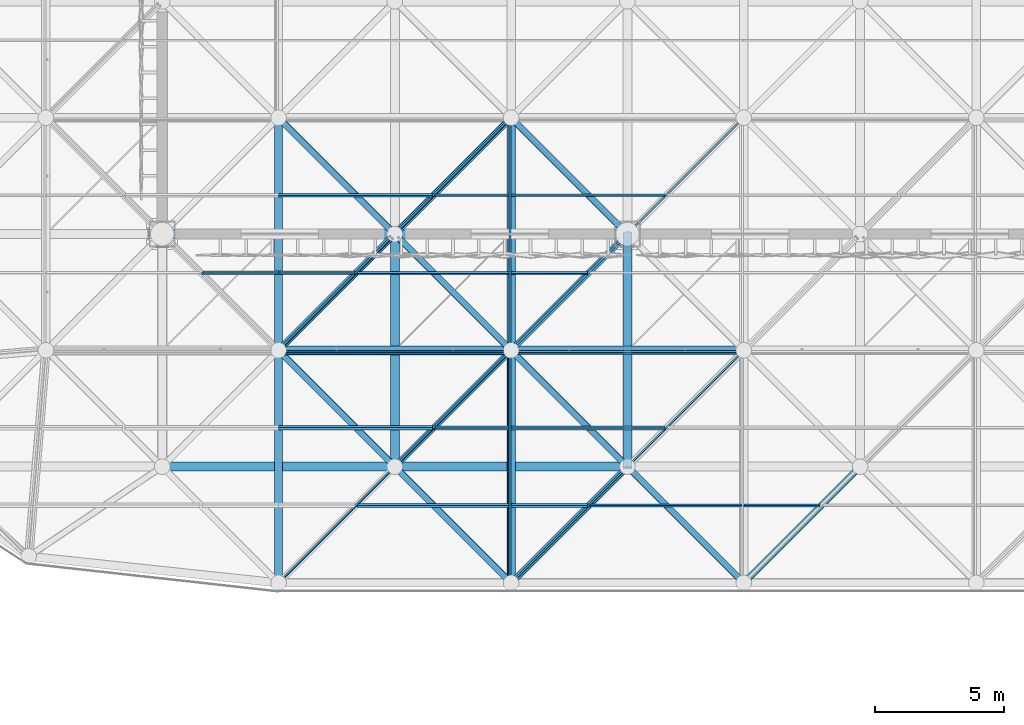
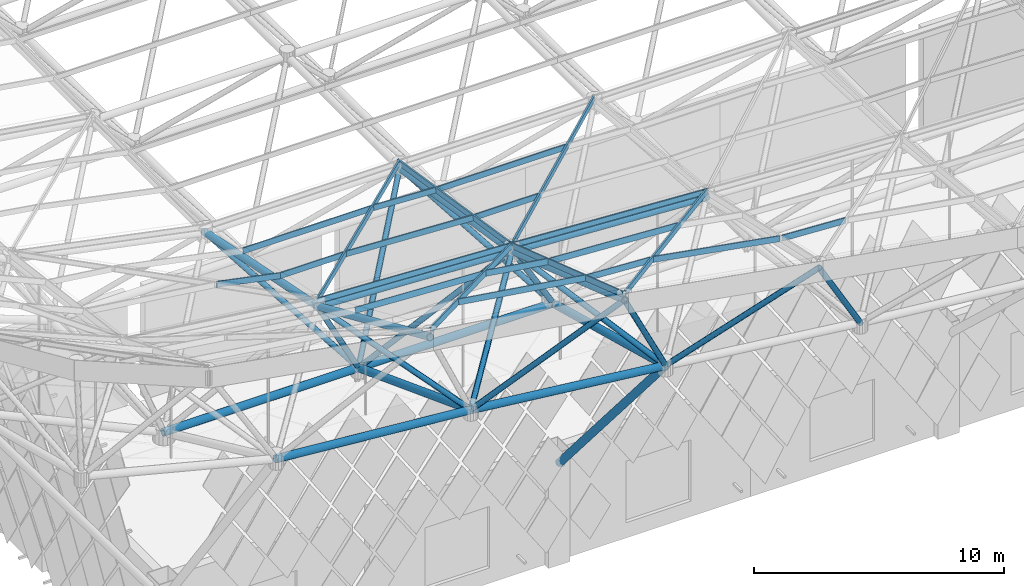
# One storey, part 52 of 437: 48 members.
"""IFC4 building model written with IfcOpenShell, lengths in metres."""

from ifc_helpers import new_model, si_unit, direction, frame, origin, origin_2d, place, context, subcontext, project, spatial, polyline, hollow_circle, outline, extrude, material, material_profile, profile_set, type_object, element, save


model = new_model("IFC4")

# Units and contexts
model_context = context("Model", 3, precision=1e-05, world=origin(), true_north=direction((0.0, 1.0)))
body_context = subcontext(model_context, "Body", "Model", "MODEL_VIEW")
ifc_project = project(units=[si_unit("LENGTHUNIT", "METRE"), si_unit("AREAUNIT", "SQUARE_METRE"), si_unit("VOLUMEUNIT", "CUBIC_METRE"), si_unit("PLANEANGLEUNIT", "RADIAN"), si_unit("MASSUNIT", "GRAM", prefix="KILO")], contexts=[model_context])

# Site, building, storey
site_placement = place(None, origin())
site = spatial("IfcSite", under=ifc_project, at=site_placement, CompositionType="ELEMENT")
building_placement = place(site_placement, origin())
building = spatial("IfcBuilding", under=site, at=building_placement, Name="Opaline Strait Convention Centre", CompositionType="ELEMENT")
storey_placement = place(building_placement, frame((0.0, 0.0, 11.5)))
storey = spatial("IfcBuildingStorey", under=building, at=storey_placement, Name="L02", CompositionType="ELEMENT", Elevation=11.5)

# Members
ifc_material = material(Name="Steel Q355B", Category="steel")
ifc_material_profile_1 = material_profile(ifc_material, hollow_circle(Radius=0.175537109375, WallThickness=0.01611328125, at=origin_2d()), Name="CHS 351x16")
ifc_profile_set_1 = profile_set([ifc_material_profile_1], Name="Steel Q355B")
member_type_1 = type_object("IfcMemberType", Name="Raking prop CHS 351x16", PredefinedType="BRACE", material=ifc_profile_set_1)
member_1_placement = place(storey_placement, frame((117.0, 53.48388671875, 5.0185546875), z_axis=(0.0, -0.651001904669, 0.759076096394), x_axis=(1.0, 0.0, 0.0)))
element("IfcMember", 1, at=member_1_placement, inside=storey, type_object=member_type_1, Name="Raking prop 117/54 S", PredefinedType="BRACE", context=body_context, shape_type="SweptSolid", body=[
    extrude(hollow_circle(Radius=0.175537109375, WallThickness=0.01611328125, at=origin_2d()), origin(), (0.0, 0.0, 1.0), 13.08203125),
])
ifc_material_profile_2 = material_profile(ifc_material, outline(polyline([(-0.03759765625, -0.125), (0.03759765625, -0.125), (0.03759765625, -0.10498046875), (0.034912109375, -0.10498046875), (0.034912109375, -0.12255859375), (-0.034912109375, -0.12255859375), (-0.034912109375, 0.12255859375), (0.034912109375, 0.12255859375), (0.034912109375, 0.10498046875), (0.03759765625, 0.10498046875), (0.03759765625, 0.125), (-0.03759765625, 0.125), (-0.03759765625, -0.125)])), Name="C 250x75x20x2.5")
ifc_profile_set_2 = profile_set([ifc_material_profile_2], Name="Steel Q355B")
member_type_2 = type_object("IfcMemberType", Name="Roof purlin C 250x75x20x2.5", PredefinedType="PURLIN", material=ifc_profile_set_2)
member_2_placement = place(storey_placement, frame((103.5, 40.5, 24.05322265625), z_axis=(0.668377219013, 0.668377219013, -0.326410456648), x_axis=(-0.730508511639, 0.672490667051, -0.118800745592)))
element("IfcMember", 2, at=member_2_placement, inside=storey, type_object=member_type_2, Name="EXB-RF-F-2-0", PredefinedType="PURLIN", context=body_context, shape_type="SweptSolid", body=[
    extrude(outline(polyline([(-0.03759765625, -0.125), (0.03759765625, -0.125), (0.03759765625, -0.10498046875), (0.034912109375, -0.10498046875), (0.034912109375, -0.12255859375), (-0.034912109375, -0.12255859375), (-0.034912109375, 0.12255859375), (0.034912109375, 0.12255859375), (0.034912109375, 0.10498046875), (0.03759765625, 0.10498046875), (0.03759765625, 0.125), (-0.03759765625, 0.125), (-0.03759765625, -0.125)])), origin(), (0.0, 0.0, 1.0), 13.46533203125),
])
member_3_placement = place(storey_placement, frame((112.443115234375, 49.550048828125, 19.653564453125), z_axis=(0.0, -0.94707556838, 0.321010697294), x_axis=(0.990136950451, -0.044974525914, -0.132688022709)))
element("IfcMember", 3, at=member_3_placement, inside=storey, type_object=member_type_2, Name="EXB-RF-E-2-0a", PredefinedType="PURLIN", context=body_context, shape_type="SweptSolid", body=[
    extrude(outline(polyline([(-0.03759765625, -0.125), (0.03759765625, -0.125), (0.03759765625, -0.10498046875), (0.034912109375, -0.10498046875), (0.034912109375, -0.12255859375), (-0.034912109375, -0.12255859375), (-0.034912109375, 0.12255859375), (0.034912109375, 0.12255859375), (0.034912109375, 0.10498046875), (0.03759765625, 0.10498046875), (0.03759765625, 0.125), (-0.03759765625, 0.125), (-0.03759765625, -0.125)])), origin(), (0.0, 0.0, 1.0), 9.608642578125),
])
member_4_placement = place(storey_placement, frame((106.550048828125, 43.5, 22.58447265625), z_axis=(0.989024150242, 0.0, -0.147753951686), x_axis=(-0.047431188677, 0.94707421578, -0.31749127885)))
element("IfcMember", 4, at=member_4_placement, inside=storey, type_object=member_type_2, Name="EXB-RF-P-2-0-0a", PredefinedType="PURLIN", context=body_context, shape_type="SweptSolid", body=[
    extrude(outline(polyline([(-0.03759765625, -0.125), (0.03759765625, -0.125), (0.03759765625, -0.10498046875), (0.034912109375, -0.10498046875), (0.034912109375, -0.12255859375), (-0.034912109375, -0.12255859375), (-0.034912109375, 0.12255859375), (0.034912109375, 0.12255859375), (0.034912109375, 0.10498046875), (0.03759765625, 0.10498046875), (0.03759765625, 0.125), (-0.03759765625, 0.125), (-0.03759765625, -0.125)])), origin(), (0.0, 0.0, 1.0), 5.923583984375),
])
member_5_placement = place(storey_placement, frame((109.550048828125, 46.5, 21.119384765625), z_axis=(0.989027242431, 0.0, -0.147733251944), x_axis=(-0.047424543755, 0.94707421578, -0.317492271488)))
element("IfcMember", 5, at=member_5_placement, inside=storey, type_object=member_type_2, Name="EXB-RF-P-2-0-1a", PredefinedType="PURLIN", context=body_context, shape_type="SweptSolid", body=[
    extrude(outline(polyline([(-0.03759765625, -0.125), (0.03759765625, -0.125), (0.03759765625, -0.10498046875), (0.034912109375, -0.10498046875), (0.034912109375, -0.12255859375), (-0.034912109375, -0.12255859375), (-0.034912109375, 0.12255859375), (0.034912109375, 0.12255859375), (0.034912109375, 0.10498046875), (0.03759765625, 0.10498046875), (0.03759765625, 0.125), (-0.03759765625, 0.125), (-0.03759765625, -0.125)])), origin(), (0.0, 0.0, 1.0), 2.890380859375),
])
member_6_placement = place(storey_placement, frame((112.550048828125, 49.41162109375, 19.698486328125), z_axis=(-0.99882696864, 0.0, 0.048421965239), x_axis=(0.019477416429, -0.915532762336, 0.401771566115)))
element("IfcMember", 6, at=member_6_placement, inside=storey, type_object=member_type_2, Name="EXB-RF-E-2-0b", PredefinedType="PURLIN", context=body_context, shape_type="SweptSolid", body=[
    extrude(outline(polyline([(-0.03759765625, -0.125), (0.03759765625, -0.125), (0.03759765625, -0.10498046875), (0.034912109375, -0.10498046875), (0.034912109375, -0.12255859375), (-0.034912109375, -0.12255859375), (-0.034912109375, 0.12255859375), (0.034912109375, 0.12255859375), (0.034912109375, 0.10498046875), (0.03759765625, 0.10498046875), (0.03759765625, 0.125), (-0.03759765625, 0.125), (-0.03759765625, -0.125)])), origin(), (0.0, 0.0, 1.0), 9.11083984375),
])
member_7_placement = place(storey_placement, frame((103.5, 46.5, 21.41796875), z_axis=(0.998827915203, 0.0, -0.048402436004), x_axis=(-0.01948874005, 0.915358568875, -0.402167725456)))
element("IfcMember", 7, at=member_7_placement, inside=storey, type_object=member_type_2, Name="EXB-RF-P-2-0-1b", PredefinedType="PURLIN", context=body_context, shape_type="SweptSolid", body=[
    extrude(outline(polyline([(-0.03759765625, -0.125), (0.03759765625, -0.125), (0.03759765625, -0.10498046875), (0.034912109375, -0.10498046875), (0.034912109375, -0.12255859375), (-0.034912109375, -0.12255859375), (-0.034912109375, 0.12255859375), (0.034912109375, 0.12255859375), (0.034912109375, 0.10498046875), (0.03759765625, 0.10498046875), (0.03759765625, 0.125), (-0.03759765625, 0.125), (-0.03759765625, -0.125)])), origin(), (0.0, 0.0, 1.0), 5.95703125),
])
member_8_placement = place(storey_placement, frame((112.5, 40.5, 22.706787109375), z_axis=(0.680936695779, 0.680936695779, -0.269537442079), x_axis=(-0.712454430671, 0.701135507774, -0.028595173634)))
element("IfcMember", 8, at=member_8_placement, inside=storey, type_object=member_type_2, Name="EXB-RF-F-3-0", PredefinedType="PURLIN", context=body_context, shape_type="SweptSolid", body=[
    extrude(outline(polyline([(-0.03759765625, -0.125), (0.03759765625, -0.125), (0.03759765625, -0.10498046875), (0.034912109375, -0.10498046875), (0.034912109375, -0.12255859375), (-0.034912109375, -0.12255859375), (-0.034912109375, 0.12255859375), (0.034912109375, 0.12255859375), (0.034912109375, 0.10498046875), (0.03759765625, 0.10498046875), (0.03759765625, 0.125), (-0.03759765625, 0.125), (-0.03759765625, -0.125)])), origin(), (0.0, 0.0, 1.0), 13.217041015625),
])
member_9_placement = place(storey_placement, frame((115.550048828125, 43.5, 21.515625), z_axis=(0.984841792486, 0.0, -0.17345501945), x_axis=(-0.037223561752, 0.976701876974, -0.21134769922)))
element("IfcMember", 9, at=member_9_placement, inside=storey, type_object=member_type_2, Name="EXB-RF-P-3-0-0a", PredefinedType="PURLIN", context=body_context, shape_type="SweptSolid", body=[
    extrude(outline(polyline([(-0.03759765625, -0.125), (0.03759765625, -0.125), (0.03759765625, -0.10498046875), (0.034912109375, -0.10498046875), (0.034912109375, -0.12255859375), (-0.034912109375, -0.12255859375), (-0.034912109375, 0.12255859375), (0.034912109375, 0.12255859375), (0.034912109375, 0.10498046875), (0.03759765625, 0.10498046875), (0.03759765625, 0.125), (-0.03759765625, 0.125), (-0.03759765625, -0.125)])), origin(), (0.0, 0.0, 1.0), 5.9453125),
])
member_10_placement = place(storey_placement, frame((121.550048828125, 49.421630859375, 19.1728515625), z_axis=(-0.998387986056, 0.0, 0.056757636488), x_axis=(0.018193669941, -0.947231539522, 0.320033437174)))
element("IfcMember", 10, at=member_10_placement, inside=storey, type_object=member_type_2, Name="EXB-RF-E-3-0b", PredefinedType="PURLIN", context=body_context, shape_type="SweptSolid", body=[
    extrude(outline(polyline([(-0.03759765625, -0.125), (0.03759765625, -0.125), (0.03759765625, -0.10498046875), (0.034912109375, -0.10498046875), (0.034912109375, -0.12255859375), (-0.034912109375, -0.12255859375), (-0.034912109375, 0.12255859375), (0.034912109375, 0.12255859375), (0.034912109375, 0.10498046875), (0.03759765625, 0.10498046875), (0.03759765625, 0.125), (-0.03759765625, 0.125), (-0.03759765625, -0.125)])), origin(), (0.0, 0.0, 1.0), 9.11474609375),
])
member_11_placement = place(storey_placement, frame((112.5, 43.5, 21.694580078125), z_axis=(0.998387563836, 0.0, -0.05676506301), x_axis=(-0.018222418982, 0.94707421578, -0.320497072141)))
element("IfcMember", 11, at=member_11_placement, inside=storey, type_object=member_type_2, Name="EXB-RF-P-3-0-0b", PredefinedType="PURLIN", context=body_context, shape_type="SweptSolid", body=[
    extrude(outline(polyline([(-0.03759765625, -0.125), (0.03759765625, -0.125), (0.03759765625, -0.10498046875), (0.034912109375, -0.10498046875), (0.034912109375, -0.12255859375), (-0.034912109375, -0.12255859375), (-0.034912109375, 0.12255859375), (0.034912109375, 0.12255859375), (0.034912109375, 0.10498046875), (0.03759765625, 0.10498046875), (0.03759765625, 0.125), (-0.03759765625, 0.125), (-0.03759765625, -0.125)])), origin(), (0.0, 0.0, 1.0), 2.954833984375),
])
member_12_placement = place(storey_placement, frame((112.5, 46.5, 20.677490234375), z_axis=(0.998389085659, 0.0, -0.056738290741), x_axis=(-0.01821382469, 0.94707421578, -0.320497560669)))
element("IfcMember", 12, at=member_12_placement, inside=storey, type_object=member_type_2, Name="EXB-RF-P-3-0-1b", PredefinedType="PURLIN", context=body_context, shape_type="SweptSolid", body=[
    extrude(outline(polyline([(-0.03759765625, -0.125), (0.03759765625, -0.125), (0.03759765625, -0.10498046875), (0.034912109375, -0.10498046875), (0.034912109375, -0.12255859375), (-0.034912109375, -0.12255859375), (-0.034912109375, 0.12255859375), (0.034912109375, 0.12255859375), (0.034912109375, 0.10498046875), (0.03759765625, 0.10498046875), (0.03759765625, 0.125), (-0.03759765625, 0.125), (-0.03759765625, -0.125)])), origin(), (0.0, 0.0, 1.0), 5.95947265625),
])
member_13_placement = place(storey_placement, frame((121.5, 43.5, 20.466064453125), z_axis=(0.998533955365, 0.0, -0.054128920033), x_axis=(-0.011616101995, 0.976701876974, -0.214286046418)))
element("IfcMember", 13, at=member_13_placement, inside=storey, type_object=member_type_2, Name="EXB-RF-P-4-0-0b", PredefinedType="PURLIN", context=body_context, shape_type="SweptSolid", body=[
    extrude(outline(polyline([(-0.03759765625, -0.125), (0.03759765625, -0.125), (0.03759765625, -0.10498046875), (0.034912109375, -0.10498046875), (0.034912109375, -0.12255859375), (-0.034912109375, -0.12255859375), (-0.034912109375, 0.12255859375), (0.034912109375, 0.12255859375), (0.034912109375, 0.10498046875), (0.03759765625, 0.10498046875), (0.03759765625, 0.125), (-0.03759765625, 0.125), (-0.03759765625, -0.125)])), origin(), (0.0, 0.0, 1.0), 2.954345703125),
])
member_14_placement = place(storey_placement, frame((100.550048828125, 52.5, 20.087890625), z_axis=(0.97978687137, 0.0, -0.200044211841), x_axis=(-0.040024376387, 0.97978004307, -0.196033457593)))
element("IfcMember", 14, at=member_14_placement, inside=storey, type_object=member_type_2, Name="EXB-RF-P-1-1-0a", PredefinedType="PURLIN", context=body_context, shape_type="SweptSolid", body=[
    extrude(outline(polyline([(-0.03759765625, -0.125), (0.03759765625, -0.125), (0.03759765625, -0.10498046875), (0.034912109375, -0.10498046875), (0.034912109375, -0.12255859375), (-0.034912109375, -0.12255859375), (-0.034912109375, 0.12255859375), (0.034912109375, 0.12255859375), (0.034912109375, 0.10498046875), (0.03759765625, 0.10498046875), (0.03759765625, 0.125), (-0.03759765625, 0.125), (-0.03759765625, -0.125)])), origin(), (0.0, 0.0, 1.0), 3.0107421875),
])
member_15_placement = place(storey_placement, frame((103.5, 49.5, 20.09326171875), z_axis=(0.699850097558, 0.699850097558, -0.142897452374), x_axis=(-0.712685495403, 0.697562775149, -0.074064562165)))
element("IfcMember", 15, at=member_15_placement, inside=storey, type_object=member_type_2, Name="EXB-RF-F-2-1", PredefinedType="PURLIN", context=body_context, shape_type="SweptSolid", body=[
    extrude(outline(polyline([(-0.03759765625, -0.125), (0.03759765625, -0.125), (0.03759765625, -0.10498046875), (0.034912109375, -0.10498046875), (0.034912109375, -0.12255859375), (-0.034912109375, -0.12255859375), (-0.034912109375, 0.12255859375), (0.034912109375, 0.12255859375), (0.034912109375, 0.10498046875), (0.03759765625, 0.10498046875), (0.03759765625, 0.125), (-0.03759765625, 0.125), (-0.03759765625, -0.125)])), origin(), (0.0, 0.0, 1.0), 12.85986328125),
])
member_16_placement = place(storey_placement, frame((112.454345703125, 58.550048828125, 18.251953125), z_axis=(0.0, -0.988093016125, 0.153857698814), x_axis=(0.998854157138, -0.007363297001, -0.047287996623)))
element("IfcMember", 16, at=member_16_placement, inside=storey, type_object=member_type_2, Name="EXB-RF-E-2-1a", PredefinedType="PURLIN", context=body_context, shape_type="SweptSolid", body=[
    extrude(outline(polyline([(-0.03759765625, -0.125), (0.03759765625, -0.125), (0.03759765625, -0.10498046875), (0.034912109375, -0.10498046875), (0.034912109375, -0.12255859375), (-0.034912109375, -0.12255859375), (-0.034912109375, 0.12255859375), (0.034912109375, 0.12255859375), (0.034912109375, 0.10498046875), (0.03759765625, 0.10498046875), (0.03759765625, 0.125), (-0.03759765625, 0.125), (-0.03759765625, -0.125)])), origin(), (0.0, 0.0, 1.0), 9.209716796875),
])
member_17_placement = place(storey_placement, frame((106.550048828125, 52.5, 19.48046875), z_axis=(0.998826020223, 0.0, -0.048441524814), x_axis=(-0.007453391796, 0.988092083083, -0.153683057944)))
element("IfcMember", 17, at=member_17_placement, inside=storey, type_object=member_type_2, Name="EXB-RF-P-2-1-0a", PredefinedType="PURLIN", context=body_context, shape_type="SweptSolid", body=[
    extrude(outline(polyline([(-0.03759765625, -0.125), (0.03759765625, -0.125), (0.03759765625, -0.10498046875), (0.034912109375, -0.10498046875), (0.034912109375, -0.12255859375), (-0.034912109375, -0.12255859375), (-0.034912109375, 0.12255859375), (0.034912109375, 0.12255859375), (0.034912109375, 0.10498046875), (0.03759765625, 0.10498046875), (0.03759765625, 0.125), (-0.03759765625, 0.125), (-0.03759765625, -0.125)])), origin(), (0.0, 0.0, 1.0), 5.87646484375),
])
member_18_placement = place(storey_placement, frame((109.550048828125, 55.5, 18.86767578125), z_axis=(0.998826229539, 0.0, -0.048437208681), x_axis=(-0.0074527277, 0.988092083083, -0.153683090151)))
element("IfcMember", 18, at=member_18_placement, inside=storey, type_object=member_type_2, Name="EXB-RF-P-2-1-1a", PredefinedType="PURLIN", context=body_context, shape_type="SweptSolid", body=[
    extrude(outline(polyline([(-0.03759765625, -0.125), (0.03759765625, -0.125), (0.03759765625, -0.10498046875), (0.034912109375, -0.10498046875), (0.034912109375, -0.12255859375), (-0.034912109375, -0.12255859375), (-0.034912109375, 0.12255859375), (0.034912109375, 0.12255859375), (0.034912109375, 0.10498046875), (0.03759765625, 0.10498046875), (0.03759765625, 0.125), (-0.03759765625, 0.125), (-0.03759765625, -0.125)])), origin(), (0.0, 0.0, 1.0), 2.873046875),
])
member_19_placement = place(storey_placement, frame((103.5, 52.5, 19.48291015625), z_axis=(1.0, 0.0, 0.0), x_axis=(0.0, 0.97978004307, -0.200077652928)))
element("IfcMember", 19, at=member_19_placement, inside=storey, type_object=member_type_2, Name="EXB-RF-P-2-1-0b", PredefinedType="PURLIN", context=body_context, shape_type="SweptSolid", body=[
    extrude(outline(polyline([(-0.03759765625, -0.125), (0.03759765625, -0.125), (0.03759765625, -0.10498046875), (0.034912109375, -0.10498046875), (0.034912109375, -0.12255859375), (-0.034912109375, -0.12255859375), (-0.034912109375, 0.12255859375), (0.034912109375, 0.12255859375), (0.034912109375, 0.10498046875), (0.03759765625, 0.10498046875), (0.03759765625, 0.125), (-0.03759765625, 0.125), (-0.03759765625, -0.125)])), origin(), (0.0, 0.0, 1.0), 2.949951171875),
])
member_20_placement = place(storey_placement, frame((103.5, 55.5, 18.870361328125), z_axis=(1.0, 0.0, 0.0), x_axis=(0.0, 0.97978004307, -0.200077652928)))
element("IfcMember", 20, at=member_20_placement, inside=storey, type_object=member_type_2, Name="EXB-RF-P-2-1-1b", PredefinedType="PURLIN", context=body_context, shape_type="SweptSolid", body=[
    extrude(outline(polyline([(-0.03759765625, -0.125), (0.03759765625, -0.125), (0.03759765625, -0.10498046875), (0.034912109375, -0.10498046875), (0.034912109375, -0.12255859375), (-0.034912109375, -0.12255859375), (-0.034912109375, 0.12255859375), (0.034912109375, 0.12255859375), (0.034912109375, 0.10498046875), (0.03759765625, 0.10498046875), (0.03759765625, 0.125), (-0.03759765625, 0.125), (-0.03759765625, -0.125)])), origin(), (0.0, 0.0, 1.0), 5.949951171875),
])
member_21_placement = place(storey_placement, frame((112.5, 49.5, 19.65625), z_axis=(0.702859440181, 0.702859440181, -0.109440461877), x_axis=(-0.709082248744, 0.704515580248, -0.029328513489)))
element("IfcMember", 21, at=member_21_placement, inside=storey, type_object=member_type_2, Name="EXB-RF-F-3-1", PredefinedType="PURLIN", context=body_context, shape_type="SweptSolid", body=[
    extrude(outline(polyline([(-0.03759765625, -0.125), (0.03759765625, -0.125), (0.03759765625, -0.10498046875), (0.034912109375, -0.10498046875), (0.034912109375, -0.12255859375), (-0.034912109375, -0.12255859375), (-0.034912109375, 0.12255859375), (0.034912109375, 0.12255859375), (0.034912109375, 0.10498046875), (0.03759765625, 0.10498046875), (0.03759765625, 0.125), (-0.03759765625, 0.125), (-0.03759765625, -0.125)])), origin(), (0.0, 0.0, 1.0), 12.804931640625),
])
member_22_placement = place(storey_placement, frame((112.5, 52.5, 19.191650390625), z_axis=(1.0, 0.0, 0.0), x_axis=(0.0, 0.988092083083, -0.153863690806)))
element("IfcMember", 22, at=member_22_placement, inside=storey, type_object=member_type_2, Name="EXB-RF-P-3-1-0b", PredefinedType="PURLIN", context=body_context, shape_type="SweptSolid", body=[
    extrude(outline(polyline([(-0.03759765625, -0.125), (0.03759765625, -0.125), (0.03759765625, -0.10498046875), (0.034912109375, -0.10498046875), (0.034912109375, -0.12255859375), (-0.034912109375, -0.12255859375), (-0.034912109375, 0.12255859375), (0.034912109375, 0.12255859375), (0.034912109375, 0.10498046875), (0.03759765625, 0.10498046875), (0.03759765625, 0.125), (-0.03759765625, 0.125), (-0.03759765625, -0.125)])), origin(), (0.0, 0.0, 1.0), 2.949951171875),
])
member_23_placement = place(storey_placement, frame((112.5, 55.5, 18.724609375), z_axis=(1.0, 0.0, 0.0), x_axis=(0.0, 0.988092083083, -0.153863690806)))
element("IfcMember", 23, at=member_23_placement, inside=storey, type_object=member_type_2, Name="EXB-RF-P-3-1-1b", PredefinedType="PURLIN", context=body_context, shape_type="SweptSolid", body=[
    extrude(outline(polyline([(-0.03759765625, -0.125), (0.03759765625, -0.125), (0.03759765625, -0.10498046875), (0.034912109375, -0.10498046875), (0.034912109375, -0.12255859375), (-0.034912109375, -0.12255859375), (-0.034912109375, 0.12255859375), (0.034912109375, 0.12255859375), (0.034912109375, 0.10498046875), (0.03759765625, 0.10498046875), (0.03759765625, 0.125), (-0.03759765625, 0.125), (-0.03759765625, -0.125)])), origin(), (0.0, 0.0, 1.0), 5.949951171875),
])
ifc_material_profile_3 = material_profile(ifc_material, hollow_circle(Radius=0.175537109375, WallThickness=0.01611328125, at=origin_2d()), Name="CHS 351x16")
ifc_profile_set_3 = profile_set([ifc_material_profile_3], Name="Steel Q355B")
member_type_3 = type_object("IfcMemberType", Name="Space frame bottom chord CHS 351x16", PredefinedType="CHORD", material=ifc_profile_set_3)
member_24_placement = place(storey_placement, frame((98.9501953125, 45.0, 16.66064453125), z_axis=(0.996499137169, 0.0, -0.083603047916), x_axis=(0.0, 1.0, 0.0)))
element("IfcMember", 24, at=member_24_placement, inside=storey, type_object=member_type_3, Name="EXB-RF-BX-1-0", PredefinedType="CHORD", context=body_context, shape_type="SweptSolid", body=[
    extrude(hollow_circle(Radius=0.175537109375, WallThickness=0.01611328125, at=origin_2d()), origin(), (0.0, 0.0, 1.0), 9.131591796875),
])
member_25_placement = place(storey_placement, frame((107.9501953125, 45.0, 15.906982421875), z_axis=(0.993995425291, 0.0, -0.109421636348), x_axis=(0.0, 1.0, 0.0)))
element("IfcMember", 25, at=member_25_placement, inside=storey, type_object=member_type_3, Name="EXB-RF-BX-2-0", PredefinedType="CHORD", context=body_context, shape_type="SweptSolid", body=[
    extrude(hollow_circle(Radius=0.175537109375, WallThickness=0.01611328125, at=origin_2d()), origin(), (0.0, 0.0, 1.0), 9.154541015625),
])
for number, where, z_axis, x_axis, name in (
    (26, (98.949951171875, 54.0, 12.5), (1.0, 0.0, 0.0), (0.0, 1.0, 0.0), "EXB-RF-BX-1-1"),
    (27, (107.949951171875, 54.0, 12.5), (1.0, 0.0, 0.0), (0.0, 1.0, 0.0), "EXB-RF-BX-2-1"),
):
    element("IfcMember", number, at=place(storey_placement, frame(where, z_axis=z_axis, x_axis=x_axis)), inside=storey, type_object=member_type_3, Name=name, PredefinedType="CHORD", context=body_context, shape_type="SweptSolid", body=[
        extrude(hollow_circle(Radius=0.175537109375, WallThickness=0.01611328125, at=origin_2d()), origin(), (0.0, 0.0, 1.0), 9.10009765625),
    ])
member_26_placement = place(storey_placement, frame((108.0, 44.953125, 15.919189453125), z_axis=(0.0, 0.935426145713, -0.353522171746), x_axis=(-1.0, 0.0, 0.0)))
element("IfcMember", 28, at=member_26_placement, inside=storey, type_object=member_type_3, Name="EXB-RF-BY-2-0", PredefinedType="CHORD", context=body_context, shape_type="SweptSolid", body=[
    extrude(hollow_circle(Radius=0.175537109375, WallThickness=0.01611328125, at=origin_2d()), origin(), (0.0, 0.0, 1.0), 9.721435546875),
])
member_27_placement = place(storey_placement, frame((117.0, 44.95166015625, 14.923828125), z_axis=(0.0, 0.965943886193, -0.258751635215), x_axis=(-1.0, 0.0, 0.0)))
element("IfcMember", 29, at=member_27_placement, inside=storey, type_object=member_type_3, Name="EXB-RF-BY-3-0", PredefinedType="CHORD", context=body_context, shape_type="SweptSolid", body=[
    extrude(hollow_circle(Radius=0.175537109375, WallThickness=0.01611328125, at=origin_2d()), origin(), (0.0, 0.0, 1.0), 9.41748046875),
])
ifc_material_profile_4 = material_profile(ifc_material, hollow_circle(Radius=0.16259765625, WallThickness=0.02001953125, at=origin_2d()), Name="CHS 325x20")
ifc_profile_set_4 = profile_set([ifc_material_profile_4], Name="Steel Q355B")
member_type_4 = type_object("IfcMemberType", Name="Space frame top chord CHS 325x20", PredefinedType="CHORD", material=ifc_profile_set_4)
member_28_placement = place(storey_placement, frame((103.449951171875, 49.5, 19.811767578125), z_axis=(0.99882696864, 0.0, -0.048421965239), x_axis=(0.0, 1.0, 0.0)))
element("IfcMember", 30, at=member_28_placement, inside=storey, type_object=member_type_4, Name="EXB-RF-TX-2-1", PredefinedType="CHORD", context=body_context, shape_type="SweptSolid", body=[
    extrude(hollow_circle(Radius=0.16259765625, WallThickness=0.02001953125, at=origin_2d()), origin(), (0.0, 0.0, 1.0), 9.11083984375),
])
member_29_placement = place(storey_placement, frame((112.4501953125, 49.5, 19.375732421875), z_axis=(0.998387813469, 0.0, -0.056760672267), x_axis=(0.0, 1.0, 0.0)))
element("IfcMember", 31, at=member_29_placement, inside=storey, type_object=member_type_4, Name="EXB-RF-TX-3-1", PredefinedType="CHORD", context=body_context, shape_type="SweptSolid", body=[
    extrude(hollow_circle(Radius=0.16259765625, WallThickness=0.02001953125, at=origin_2d()), origin(), (0.0, 0.0, 1.0), 9.1142578125),
])
member_30_placement = place(storey_placement, frame((103.5, 40.454345703125, 23.788330078125), z_axis=(0.0, 0.915357797375, -0.402641407192), x_axis=(-1.0, 0.0, 0.0)))
element("IfcMember", 32, at=member_30_placement, inside=storey, type_object=member_type_4, Name="EXB-RF-TY-2-0", PredefinedType="CHORD", context=body_context, shape_type="SweptSolid", body=[
    extrude(hollow_circle(Radius=0.16259765625, WallThickness=0.02001953125, at=origin_2d()), origin(), (0.0, 0.0, 1.0), 9.931884765625),
])
member_31_placement = place(storey_placement, frame((103.5, 49.450927734375, 19.8193359375), z_axis=(0.0, 0.979779873088, -0.200078485327), x_axis=(-1.0, 0.0, 0.0)))
element("IfcMember", 33, at=member_31_placement, inside=storey, type_object=member_type_4, Name="EXB-RF-TY-2-1", PredefinedType="CHORD", context=body_context, shape_type="SweptSolid", body=[
    extrude(hollow_circle(Radius=0.16259765625, WallThickness=0.02001953125, at=origin_2d()), origin(), (0.0, 0.0, 1.0), 9.285888671875),
])
member_32_placement = place(storey_placement, frame((112.5, 40.45263671875, 22.439697265625), z_axis=(0.0, 0.947072036929, -0.321021115921), x_axis=(-1.0, 0.0, 0.0)))
element("IfcMember", 34, at=member_32_placement, inside=storey, type_object=member_type_4, Name="EXB-RF-TY-3-0", PredefinedType="CHORD", context=body_context, shape_type="SweptSolid", body=[
    extrude(hollow_circle(Radius=0.16259765625, WallThickness=0.02001953125, at=origin_2d()), origin(), (0.0, 0.0, 1.0), 9.60302734375),
])
member_33_placement = place(storey_placement, frame((112.5, 49.45068359375, 19.380615234375), z_axis=(0.0, 0.988093281059, -0.15385599737), x_axis=(-1.0, 0.0, 0.0)))
element("IfcMember", 35, at=member_33_placement, inside=storey, type_object=member_type_4, Name="EXB-RF-TY-3-1", PredefinedType="CHORD", context=body_context, shape_type="SweptSolid", body=[
    extrude(hollow_circle(Radius=0.16259765625, WallThickness=0.02001953125, at=origin_2d()), origin(), (0.0, 0.0, 1.0), 9.208251953125),
])
ifc_material_profile_5 = material_profile(ifc_material, hollow_circle(Radius=0.12255859375, WallThickness=0.011962890625, at=origin_2d()), Name="CHS 245x12")
ifc_profile_set_5 = profile_set([ifc_material_profile_5], Name="Steel Q355B")
member_type_5 = type_object("IfcMemberType", Name="Space frame web CHS 245x12", PredefinedType="BRACE", material=ifc_profile_set_5)
member_34_placement = place(storey_placement, frame((103.469970703125, 49.530029296875, 19.83544921875), z_axis=(0.60256121026, -0.60256121026, -0.523297215528), x_axis=(0.707106781187, 0.707106781187, 0.0)))
element("IfcMember", 36, at=member_34_placement, inside=storey, type_object=member_type_5, Name="EXB-RF-W-2-0-01", PredefinedType="BRACE", context=body_context, shape_type="SweptSolid", body=[
    extrude(hollow_circle(Radius=0.12255859375, WallThickness=0.011962890625, at=origin_2d()), origin(), (0.0, 0.0, 1.0), 7.56787109375),
])
member_35_placement = place(storey_placement, frame((112.524658203125, 40.475341796875, 22.459228515625), z_axis=(-0.493829497226, 0.493829497226, -0.715726802167), x_axis=(-0.707106781187, -0.707106781187, 0.0)))
element("IfcMember", 37, at=member_35_placement, inside=storey, type_object=member_type_5, Name="EXB-RF-W-2-0-10", PredefinedType="BRACE", context=body_context, shape_type="SweptSolid", body=[
    extrude(hollow_circle(Radius=0.12255859375, WallThickness=0.011962890625, at=origin_2d()), origin(), (0.0, 0.0, 1.0), 9.21240234375),
])
member_36_placement = place(storey_placement, frame((112.531005859375, 49.531005859375, 19.39697265625), z_axis=(-0.620747928785, -0.620747928785, -0.478898755291), x_axis=(0.707106781187, -0.707106781187, 0.0)))
element("IfcMember", 38, at=member_36_placement, inside=storey, type_object=member_type_5, Name="EXB-RF-W-2-0-11", PredefinedType="BRACE", context=body_context, shape_type="SweptSolid", body=[
    extrude(hollow_circle(Radius=0.12255859375, WallThickness=0.011962890625, at=origin_2d()), origin(), (0.0, 0.0, 1.0), 7.34912109375),
])
member_37_placement = place(storey_placement, frame((103.476806640625, 49.476806640625, 19.84716796875), z_axis=(0.464318393321, 0.464318393321, -0.754199482396), x_axis=(-0.707106781187, 0.707106781187, 0.0)))
element("IfcMember", 39, at=member_37_placement, inside=storey, type_object=member_type_5, Name="EXB-RF-W-2-1-00", PredefinedType="BRACE", context=body_context, shape_type="SweptSolid", body=[
    extrude(hollow_circle(Radius=0.12255859375, WallThickness=0.011962890625, at=origin_2d()), origin(), (0.0, 0.0, 1.0), 9.79150390625),
])
member_38_placement = place(storey_placement, frame((103.47314453125, 58.52685546875, 18.004150390625), z_axis=(0.536178220346, -0.536178220346, -0.6519400525), x_axis=(0.707106781187, 0.707106781187, 0.0)))
element("IfcMember", 40, at=member_38_placement, inside=storey, type_object=member_type_5, Name="EXB-RF-W-2-1-01", PredefinedType="BRACE", context=body_context, shape_type="SweptSolid", body=[
    extrude(hollow_circle(Radius=0.12255859375, WallThickness=0.011962890625, at=origin_2d()), origin(), (0.0, 0.0, 1.0), 8.492919921875),
])
member_39_placement = place(storey_placement, frame((112.52392578125, 49.47607421875, 19.40966796875), z_axis=(-0.480409370333, 0.480409370333, -0.733766770706), x_axis=(-0.707106781187, -0.707106781187, 0.0)))
element("IfcMember", 41, at=member_39_placement, inside=storey, type_object=member_type_5, Name="EXB-RF-W-2-1-10", PredefinedType="BRACE", context=body_context, shape_type="SweptSolid", body=[
    extrude(hollow_circle(Radius=0.12255859375, WallThickness=0.011962890625, at=origin_2d()), origin(), (0.0, 0.0, 1.0), 9.466552734375),
])
member_40_placement = place(storey_placement, frame((112.52685546875, 58.52685546875, 18.004150390625), z_axis=(-0.536178220346, -0.536178220346, -0.6519400525), x_axis=(0.707106781187, -0.707106781187, 0.0)))
element("IfcMember", 42, at=member_40_placement, inside=storey, type_object=member_type_5, Name="EXB-RF-W-2-1-11", PredefinedType="BRACE", context=body_context, shape_type="SweptSolid", body=[
    extrude(hollow_circle(Radius=0.12255859375, WallThickness=0.011962890625, at=origin_2d()), origin(), (0.0, 0.0, 1.0), 8.492919921875),
])
member_41_placement = place(storey_placement, frame((112.47705078125, 40.47705078125, 22.461669921875), z_axis=(0.457053151729, 0.457053151729, -0.763023481283), x_axis=(-0.707106781187, 0.707106781187, 0.0)))
element("IfcMember", 43, at=member_41_placement, inside=storey, type_object=member_type_5, Name="EXB-RF-W-3-0-00", PredefinedType="BRACE", context=body_context, shape_type="SweptSolid", body=[
    extrude(hollow_circle(Radius=0.12255859375, WallThickness=0.011962890625, at=origin_2d()), origin(), (0.0, 0.0, 1.0), 9.946044921875),
])
member_42_placement = place(storey_placement, frame((112.470947265625, 49.529052734375, 19.401611328125), z_axis=(0.578978904854, -0.578978904854, -0.574079136939), x_axis=(0.707106781187, 0.707106781187, 0.0)))
element("IfcMember", 44, at=member_42_placement, inside=storey, type_object=member_type_5, Name="EXB-RF-W-3-0-01", PredefinedType="BRACE", context=body_context, shape_type="SweptSolid", body=[
    extrude(hollow_circle(Radius=0.12255859375, WallThickness=0.011962890625, at=origin_2d()), origin(), (0.0, 0.0, 1.0), 7.87255859375),
])
member_43_placement = place(storey_placement, frame((121.52587890625, 40.47412109375, 20.872802734375), z_axis=(-0.517411806028, 0.517411806028, -0.681593754347), x_axis=(-0.707106781187, -0.707106781187, 0.0)))
element("IfcMember", 45, at=member_43_placement, inside=storey, type_object=member_type_5, Name="EXB-RF-W-3-0-10", PredefinedType="BRACE", context=body_context, shape_type="SweptSolid", body=[
    extrude(hollow_circle(Radius=0.12255859375, WallThickness=0.011962890625, at=origin_2d()), origin(), (0.0, 0.0, 1.0), 8.797119140625),
])
member_44_placement = place(storey_placement, frame((112.47607421875, 49.47607421875, 19.40966796875), z_axis=(0.480409370333, 0.480409370333, -0.733766770706), x_axis=(-0.707106781187, 0.707106781187, 0.0)))
element("IfcMember", 46, at=member_44_placement, inside=storey, type_object=member_type_5, Name="EXB-RF-W-3-1-00", PredefinedType="BRACE", context=body_context, shape_type="SweptSolid", body=[
    extrude(hollow_circle(Radius=0.12255859375, WallThickness=0.011962890625, at=origin_2d()), origin(), (0.0, 0.0, 1.0), 9.466552734375),
])
member_45_placement = place(storey_placement, frame((112.47314453125, 58.52685546875, 18.004150390625), z_axis=(0.536178220346, -0.536178220346, -0.6519400525), x_axis=(0.707106781187, 0.707106781187, 0.0)))
element("IfcMember", 47, at=member_45_placement, inside=storey, type_object=member_type_5, Name="EXB-RF-W-3-1-01", PredefinedType="BRACE", context=body_context, shape_type="SweptSolid", body=[
    extrude(hollow_circle(Radius=0.12255859375, WallThickness=0.011962890625, at=origin_2d()), origin(), (0.0, 0.0, 1.0), 8.492919921875),
])
member_46_placement = place(storey_placement, frame((121.47607421875, 40.47607421875, 20.875732421875), z_axis=(0.47626636673, 0.47626636673, -0.739148629062), x_axis=(-0.707106781187, 0.707106781187, 0.0)))
element("IfcMember", 48, at=member_46_placement, inside=storey, type_object=member_type_5, Name="EXB-RF-W-4-0-00", PredefinedType="BRACE", context=body_context, shape_type="SweptSolid", body=[
    extrude(hollow_circle(Radius=0.12255859375, WallThickness=0.011962890625, at=origin_2d()), origin(), (0.0, 0.0, 1.0), 9.549072265625),
])

save(model, "model.ifc")
